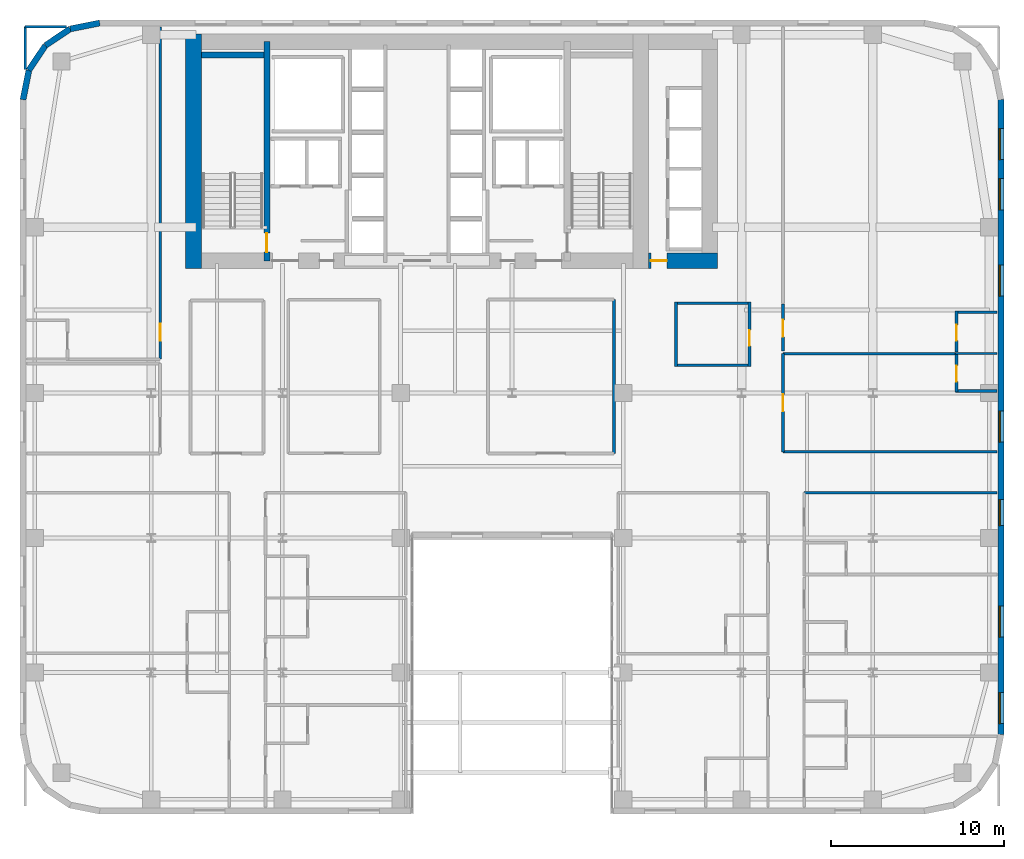
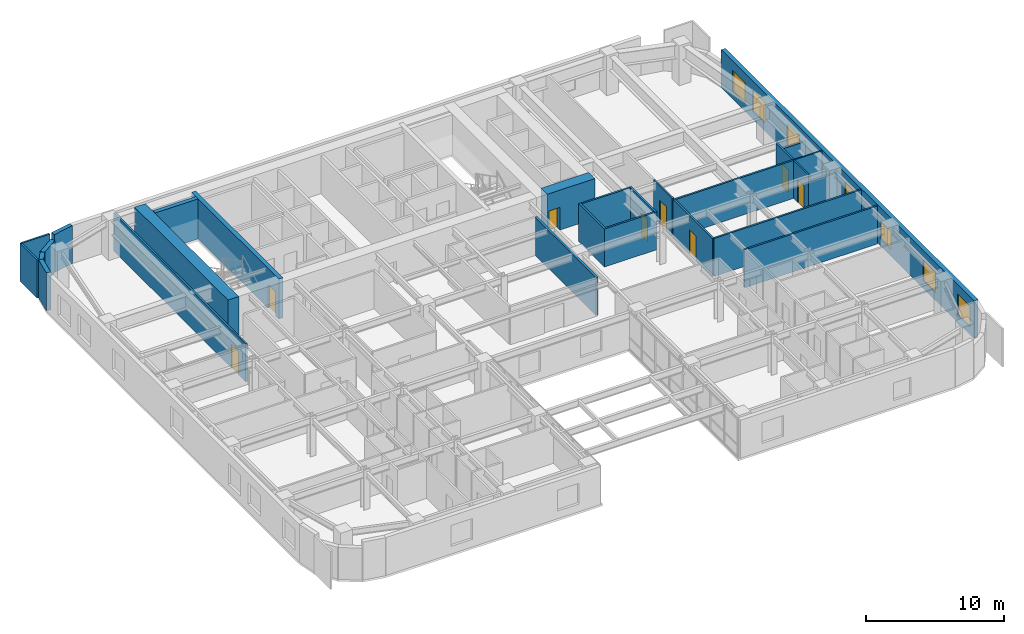
# One storey, part 13 of 16: 27 walls, 8 doors, 7 windows, 15 openings.
"""IFC4 building model written with IfcOpenShell, lengths in metres."""

from ifc_helpers import new_model, si_unit, direction, frame, frame_2d, origin, place, context, subcontext, project, spatial, rectangle, extrude, source, transform, mapped, material, layer, layer_set, type_object, type_shapes, element, fill, save


model = new_model("IFC4")

# Units and contexts
model_context = context("Model", 3, precision=1e-05, world=origin(), true_north=direction((0.0, 1.0)))
body_context = subcontext(model_context, "Body", "Model", "MODEL_VIEW")
ifc_project = project(units=[si_unit("LENGTHUNIT", "METRE"), si_unit("AREAUNIT", "SQUARE_METRE"), si_unit("VOLUMEUNIT", "CUBIC_METRE"), si_unit("PLANEANGLEUNIT", "RADIAN"), si_unit("MASSUNIT", "GRAM", prefix="KILO")], contexts=[model_context])

# Site, building, storey
site_placement = place(None, origin())
site = spatial("IfcSite", under=ifc_project, at=site_placement, CompositionType="ELEMENT")
building_placement = place(site_placement, origin())
building = spatial("IfcBuilding", under=site, at=building_placement, Name="Tolvann Quenvar Hotel", CompositionType="ELEMENT")
storey_placement = place(building_placement, frame((0.0, 0.0, 71.050048828125)))
storey = spatial("IfcBuildingStorey", under=building, at=storey_placement, Name="L17", CompositionType="ELEMENT", Elevation=71.050048828125)

# Wall
ifc_material_1 = material(Name="Concrete S80 (80 MPa)", Category="concrete")
ifc_layer_1 = layer(ifc_material_1, 0.89990234375)
ifc_layer_set_1 = layer_set([ifc_layer_1], Name="Concrete S80 (80 MPa)")
wall_type_1 = type_object("IfcWallType", Name="WALL_CORE_900", PredefinedType="SHEAR", material=ifc_layer_set_1)
wall_1_placement = place(storey_placement, frame((10.050048828125, 31.60009765625, 0.0), z_axis=(0.0, 0.0, 1.0), x_axis=(0.0, 1.0, 0.0)))
element("IfcWall", 1, at=wall_1_placement, inside=storey, type_object=wall_type_1, Name="Rear Core W Shear Wall (L17)", PredefinedType="SHEAR", context=body_context, shape_type="SweptSolid", body=[
    extrude(rectangle(XDim=13.599853515625, YDim=0.89990234375, at=frame_2d((6.7998046875, 0.0))), origin(), (0.0, 0.0, 1.0), 3.550048828125),
])

# Wall, opening, door
wall_2_placement = place(storey_placement, frame((36.39990234375, 32.050048828125, 0.0), z_axis=(0.0, 0.0, 1.0), x_axis=(1.0, 0.0, 0.0)))
wall_2 = element("IfcWall", 2, at=wall_2_placement, inside=storey, type_object=wall_type_1, Name="Core East Annex Shear Wall ANN-S (L17)", PredefinedType="SHEAR", context=body_context, shape_type="SweptSolid", body=[
    extrude(rectangle(XDim=4.0, YDim=0.89990234375, at=frame_2d((2.0, 0.0))), origin(), (0.0, 0.0, 1.0), 3.550048828125),
])
opening_1_placement = place(wall_2_placement, frame((1.06982421875, 0.0, 0.0), z_axis=(0.0, 0.0, 1.0), x_axis=(-1.0, 0.0, 0.0)))
opening_1 = element("IfcOpeningElement", 3, at=opening_1_placement, cuts=wall_2, Name="Opening WD-01", PredefinedType="OPENING", context=body_context, shape_type="SweptSolid", body=[
    extrude(rectangle(XDim=0.919921875, YDim=2.010009765625, at=frame_2d((0.4599609375, 1.0048828125))), frame((0.0, 0.4599609375, 0.0), z_axis=(0.0, -1.0, 0.0), x_axis=(1.0, 0.0, 0.0)), (0.0, 0.0, 1.0), 0.919921875),
])
ifc_material_2 = material(Name="Solid-core American oak acoustic fire door leaf in steel frame", Category="steel")
door_type_1 = type_object("IfcDoorType", Name="DOOR_WC_920", OperationType="NOTDEFINED", PredefinedType="DOOR", material=ifc_material_2)
shared_shape_1 = source(origin(), body_context, "Body", "SweptSolid", [
    extrude(rectangle(XDim=0.919921875, YDim=2.010009765625, at=frame_2d((0.4599609375, 1.0048828125))), frame((0.0, 0.02490234375, 0.0), z_axis=(0.0, -1.0, 0.0), x_axis=(1.0, 0.0, 0.0)), (0.0, 0.0, 1.0), 0.050048828125),
])
type_shapes(door_type_1, [shared_shape_1])
door_1_placement = place(opening_1_placement, origin())
door_1 = element("IfcDoor", 4, at=door_1_placement, inside=storey, type_object=door_type_1, Name="Low-Rise Lift Lobby Fire Door (L17)", OperationType="SINGLE_SWING_RIGHT", OverallHeight=2.010009765625, OverallWidth=0.919921875, PredefinedType="DOOR", context=body_context, shape_type="MappedRepresentation", body=[
    mapped(shared_shape_1, transform((0.0, 0.0, 0.0), x_axis=(1.0, 0.0, 0.0), y_axis=(0.0, 1.0, 0.0), z_axis=(0.0, 0.0, 1.0), scale=1.0)),
])
fill(opening_1, door_1)

ifc_material_3 = material(Name="Concrete S65 (65 MPa)", Category="concrete")
ifc_layer_2 = layer(ifc_material_3, 0.35009765625)
ifc_layer_set_2 = layer_set([ifc_layer_2], Name="Concrete S65 (65 MPa)")
wall_type_2 = type_object("IfcWallType", Name="WALL_CORE_INT_350", PredefinedType="SHEAR", material=ifc_layer_set_2)
wall_3_placement = place(storey_placement, frame((14.300048828125, 32.050048828125, 0.0), z_axis=(0.0, 0.0, 1.0), x_axis=(0.0, 1.0, 0.0)))
wall_3 = element("IfcWall", 5, at=wall_3_placement, inside=storey, type_object=wall_type_2, Name="Core Internal Web Shear Wall WEB-W (L17)", PredefinedType="SHEAR", context=body_context, shape_type="SweptSolid", body=[
    extrude(rectangle(XDim=12.699951171875, YDim=0.35009765625, at=frame_2d((6.35009765625, 0.0))), origin(), (0.0, 0.0, 1.0), 3.550048828125),
])
opening_2_placement = place(wall_3_placement, frame((0.5, 0.0, 0.0)))
opening_2 = element("IfcOpeningElement", 6, at=opening_2_placement, cuts=wall_3, Name="Opening FD-120", PredefinedType="OPENING", context=body_context, shape_type="SweptSolid", body=[
    extrude(rectangle(XDim=1.10009765625, YDim=2.1201171875, at=frame_2d((0.550048828125, 1.06005859375))), frame((0.0, 0.18505859375, 0.0), z_axis=(0.0, -1.0, 0.0), x_axis=(1.0, 0.0, 0.0)), (0.0, 0.0, 1.0), 0.3701171875),
])
ifc_material_4 = material(Name="Pressed galvanised steel fire-rated door set", Category="steel")
door_type_2 = type_object("IfcDoorType", Name="DOOR_FIRE_STAIR_1100", OperationType="NOTDEFINED", PredefinedType="DOOR", material=ifc_material_4)
shared_shape_2 = source(origin(), body_context, "Body", "SweptSolid", [
    extrude(rectangle(XDim=1.10009765625, YDim=2.1201171875, at=frame_2d((0.550048828125, 1.06005859375))), frame((0.0, 0.02490234375, 0.0), z_axis=(0.0, -1.0, 0.0), x_axis=(1.0, 0.0, 0.0)), (0.0, 0.0, 1.0), 0.050048828125),
])
type_shapes(door_type_2, [shared_shape_2])
door_2_placement = place(opening_2_placement, origin())
door_2 = element("IfcDoor", 7, at=door_2_placement, inside=storey, type_object=door_type_2, Name="Exit Stair ST-C1 Fire Door (L17)", OperationType="SINGLE_SWING_LEFT", OverallHeight=2.1201171875, OverallWidth=1.10009765625, PredefinedType="DOOR", context=body_context, shape_type="MappedRepresentation", body=[
    mapped(shared_shape_2, transform((0.0, 0.0, 0.0), x_axis=(1.0, 0.0, 0.0), y_axis=(0.0, 1.0, 0.0), z_axis=(0.0, 0.0, 1.0), scale=1.0)),
])
fill(opening_2, door_2)

# Wall
wall_4_placement = place(storey_placement, frame((10.52001953125, 43.97509765625, 0.0), z_axis=(0.0, 0.0, 1.0), x_axis=(1.0, 0.0, 0.0)))
element("IfcWall", 8, at=wall_4_placement, inside=storey, type_object=wall_type_2, Name="Core Stair North Closing Shear Wall STC1-N (L17)", PredefinedType="SHEAR", context=body_context, shape_type="SweptSolid", body=[
    extrude(rectangle(XDim=3.60009765625, YDim=0.35009765625, at=frame_2d((1.800048828125, 0.0))), origin(), (0.0, 0.0, 1.0), 3.550048828125),
])

# Wall, openings, windows
ifc_material_5 = material(Name="Kiln-fired red and buff architectural clay brickwork and terracotta masonry", Category="masonry")
ifc_layer_3 = layer(ifc_material_5, 0.35009765625)
ifc_layer_set_3 = layer_set([ifc_layer_3], Name="Kiln-fired red and buff architectural clay brickwork and terracotta masonry")
wall_type_3 = type_object("IfcWallType", Name="WALL_EXT_BRICK_350", PredefinedType="SOLIDWALL", material=ifc_layer_set_3)
wall_5_placement = place(storey_placement, frame((56.824951171875, 4.6171875, 0.0), z_axis=(0.0, 0.0, 1.0), x_axis=(0.0, 1.0, 0.0)))
wall_5 = element("IfcWall", 9, at=wall_5_placement, inside=storey, type_object=wall_type_3, Name="Exterior Chicago Brick Wall L17-E13", PredefinedType="SOLIDWALL", context=body_context, shape_type="SweptSolid", body=[
    extrude(rectangle(XDim=36.765625, YDim=0.35009765625, at=frame_2d((18.3828125, 0.0))), origin(), (0.0, 0.0, 1.0), 3.369873046875),
])
opening_3_placement = place(wall_5_placement, frame((0.6259765625, 0.0, 0.679931640625)))
opening_3 = element("IfcOpeningElement", 10, at=opening_3_placement, cuts=wall_5, Name="Opening W-03", PredefinedType="OPENING", context=body_context, shape_type="SweptSolid", body=[
    extrude(rectangle(XDim=1.800048828125, YDim=1.85009765625, at=frame_2d((0.89990234375, 0.925048828125))), frame((0.0, 0.18505859375, 0.0), z_axis=(0.0, -1.0, 0.0), x_axis=(1.0, 0.0, 0.0)), (0.0, 0.0, 1.0), 0.3701171875),
])
opening_4_placement = place(wall_5_placement, frame((5.6279296875, 0.0, 0.679931640625)))
opening_4 = element("IfcOpeningElement", 11, at=opening_4_placement, cuts=wall_5, Name="Opening W-03", PredefinedType="OPENING", context=body_context, shape_type="SweptSolid", body=[
    extrude(rectangle(XDim=1.800048828125, YDim=1.85009765625, at=frame_2d((0.89990234375, 0.925048828125))), frame((0.0, 0.18505859375, 0.0), z_axis=(0.0, -1.0, 0.0), x_axis=(1.0, 0.0, 0.0)), (0.0, 0.0, 1.0), 0.3701171875),
])
opening_5_placement = place(wall_5_placement, frame((16.93310546875, 0.0, 0.679931640625)))
opening_5 = element("IfcOpeningElement", 12, at=opening_5_placement, cuts=wall_5, Name="Opening W-03", PredefinedType="OPENING", context=body_context, shape_type="SweptSolid", body=[
    extrude(rectangle(XDim=1.800048828125, YDim=1.85009765625, at=frame_2d((0.89990234375, 0.925048828125))), frame((0.0, 0.18505859375, 0.0), z_axis=(0.0, -1.0, 0.0), x_axis=(1.0, 0.0, 0.0)), (0.0, 0.0, 1.0), 0.3701171875),
])
opening_6_placement = place(wall_5_placement, frame((25.385986328125, 0.0, 0.679931640625)))
opening_6 = element("IfcOpeningElement", 13, at=opening_6_placement, cuts=wall_5, Name="Opening W-03", PredefinedType="OPENING", context=body_context, shape_type="SweptSolid", body=[
    extrude(rectangle(XDim=1.800048828125, YDim=1.85009765625, at=frame_2d((0.89990234375, 0.925048828125))), frame((0.0, 0.18505859375, 0.0), z_axis=(0.0, -1.0, 0.0), x_axis=(1.0, 0.0, 0.0)), (0.0, 0.0, 1.0), 0.3701171875),
])
opening_7_placement = place(wall_5_placement, frame((30.387939453125, 0.0, 0.679931640625)))
opening_7 = element("IfcOpeningElement", 14, at=opening_7_placement, cuts=wall_5, Name="Opening W-03", PredefinedType="OPENING", context=body_context, shape_type="SweptSolid", body=[
    extrude(rectangle(XDim=1.800048828125, YDim=1.85009765625, at=frame_2d((0.89990234375, 0.925048828125))), frame((0.0, 0.18505859375, 0.0), z_axis=(0.0, -1.0, 0.0), x_axis=(1.0, 0.0, 0.0)), (0.0, 0.0, 1.0), 0.3701171875),
])
opening_8_placement = place(wall_5_placement, frame((33.2900390625, 0.0, 0.679931640625)))
opening_8 = element("IfcOpeningElement", 15, at=opening_8_placement, cuts=wall_5, Name="Opening W-03", PredefinedType="OPENING", context=body_context, shape_type="SweptSolid", body=[
    extrude(rectangle(XDim=1.800048828125, YDim=1.85009765625, at=frame_2d((0.89990234375, 0.925048828125))), frame((0.0, 0.18505859375, 0.0), z_axis=(0.0, -1.0, 0.0), x_axis=(1.0, 0.0, 0.0)), (0.0, 0.0, 1.0), 0.3701171875),
])
opening_9_placement = place(wall_5_placement, frame((12.093017578125, 0.0, 0.6201171875)))
opening_9 = element("IfcOpeningElement", 16, at=opening_9_placement, cuts=wall_5, Name="Opening W-08", PredefinedType="OPENING", context=body_context, shape_type="SweptSolid", body=[
    extrude(rectangle(XDim=1.5, YDim=1.550048828125, at=frame_2d((0.75, 0.77490234375))), frame((0.0, 0.18505859375, 0.0), z_axis=(0.0, -1.0, 0.0), x_axis=(1.0, 0.0, 0.0)), (0.0, 0.0, 1.0), 0.3701171875),
])
ifc_material_6 = material(Name="Thermally broken bronze-anodised aluminium frame with double low-E glazing", Category="aluminium")
window_type_1 = type_object("IfcWindowType", Name="WIN_COR_1500x2050", PartitioningType="SINGLE_PANEL", PredefinedType="WINDOW", material=ifc_material_6)
shared_shape_3 = source(origin(), body_context, "Body", "SweptSolid", [
    extrude(rectangle(XDim=1.5, YDim=1.550048828125, at=frame_2d((0.75, 0.77490234375))), frame((0.0, 0.090087890625, 0.0), z_axis=(0.0, -1.0, 0.0), x_axis=(1.0, 0.0, 0.0)), (0.0, 0.0, 1.0), 0.06005859375),
])
type_shapes(window_type_1, [shared_shape_3])
window_1_placement = place(opening_9_placement, origin())
window_1 = element("IfcWindow", 17, at=window_1_placement, inside=storey, type_object=window_type_1, Name="Chicago Window W-08 (EW-L17-E13-WD07)", OverallHeight=1.550048828125, OverallWidth=1.5, PartitioningType="SINGLE_PANEL", PredefinedType="WINDOW", context=body_context, shape_type="MappedRepresentation", body=[
    mapped(shared_shape_3, transform((0.0, 0.0, 0.0), x_axis=(1.0, 0.0, 0.0), y_axis=(0.0, 1.0, 0.0), z_axis=(0.0, 0.0, 1.0), scale=1.0)),
])
fill(opening_9, window_1)
window_type_2 = type_object("IfcWindowType", Name="WIN_CHI_1800x2050", PartitioningType="TRIPLE_PANEL_HORIZONTAL", PredefinedType="WINDOW", material=ifc_material_6)
shared_shape_4 = source(origin(), body_context, "Body", "SweptSolid", [
    extrude(rectangle(XDim=1.800048828125, YDim=1.85009765625, at=frame_2d((0.89990234375, 0.925048828125))), frame((0.0, 0.090087890625, 0.0), z_axis=(0.0, -1.0, 0.0), x_axis=(1.0, 0.0, 0.0)), (0.0, 0.0, 1.0), 0.06005859375),
])
type_shapes(window_type_2, [shared_shape_4])
window_2_placement = place(opening_3_placement, origin())
window_2 = element("IfcWindow", 18, at=window_2_placement, inside=storey, type_object=window_type_2, Name="Chicago Window W-03 (EW-L17-E13-W01)", OverallHeight=1.85009765625, OverallWidth=1.800048828125, PartitioningType="TRIPLE_PANEL_HORIZONTAL", PredefinedType="WINDOW", context=body_context, shape_type="MappedRepresentation", body=[
    mapped(shared_shape_4, transform((0.0, 0.0, 0.0), x_axis=(1.0, 0.0, 0.0), y_axis=(0.0, 1.0, 0.0), z_axis=(0.0, 0.0, 1.0), scale=1.0)),
])
fill(opening_3, window_2)
window_3_placement = place(opening_4_placement, origin())
window_3 = element("IfcWindow", 19, at=window_3_placement, inside=storey, type_object=window_type_2, Name="Chicago Window W-03 (EW-L17-E13-W02)", OverallHeight=1.85009765625, OverallWidth=1.800048828125, PartitioningType="TRIPLE_PANEL_HORIZONTAL", PredefinedType="WINDOW", context=body_context, shape_type="MappedRepresentation", body=[
    mapped(shared_shape_4, transform((0.0, 0.0, 0.0), x_axis=(1.0, 0.0, 0.0), y_axis=(0.0, 1.0, 0.0), z_axis=(0.0, 0.0, 1.0), scale=1.0)),
])
fill(opening_4, window_3)
window_4_placement = place(opening_5_placement, origin())
window_4 = element("IfcWindow", 20, at=window_4_placement, inside=storey, type_object=window_type_2, Name="Chicago Window W-03 (EW-L17-E13-W03)", OverallHeight=1.85009765625, OverallWidth=1.800048828125, PartitioningType="TRIPLE_PANEL_HORIZONTAL", PredefinedType="WINDOW", context=body_context, shape_type="MappedRepresentation", body=[
    mapped(shared_shape_4, transform((0.0, 0.0, 0.0), x_axis=(1.0, 0.0, 0.0), y_axis=(0.0, 1.0, 0.0), z_axis=(0.0, 0.0, 1.0), scale=1.0)),
])
fill(opening_5, window_4)
window_5_placement = place(opening_6_placement, origin())
window_5 = element("IfcWindow", 21, at=window_5_placement, inside=storey, type_object=window_type_2, Name="Chicago Window W-03 (EW-L17-E13-W04)", OverallHeight=1.85009765625, OverallWidth=1.800048828125, PartitioningType="TRIPLE_PANEL_HORIZONTAL", PredefinedType="WINDOW", context=body_context, shape_type="MappedRepresentation", body=[
    mapped(shared_shape_4, transform((0.0, 0.0, 0.0), x_axis=(1.0, 0.0, 0.0), y_axis=(0.0, 1.0, 0.0), z_axis=(0.0, 0.0, 1.0), scale=1.0)),
])
fill(opening_6, window_5)
window_6_placement = place(opening_7_placement, origin())
window_6 = element("IfcWindow", 22, at=window_6_placement, inside=storey, type_object=window_type_2, Name="Chicago Window W-03 (EW-L17-E13-W05)", OverallHeight=1.85009765625, OverallWidth=1.800048828125, PartitioningType="TRIPLE_PANEL_HORIZONTAL", PredefinedType="WINDOW", context=body_context, shape_type="MappedRepresentation", body=[
    mapped(shared_shape_4, transform((0.0, 0.0, 0.0), x_axis=(1.0, 0.0, 0.0), y_axis=(0.0, 1.0, 0.0), z_axis=(0.0, 0.0, 1.0), scale=1.0)),
])
fill(opening_7, window_6)
window_7_placement = place(opening_8_placement, origin())
window_7 = element("IfcWindow", 23, at=window_7_placement, inside=storey, type_object=window_type_2, Name="Chicago Window W-03 (EW-L17-E13-W06)", OverallHeight=1.85009765625, OverallWidth=1.800048828125, PartitioningType="TRIPLE_PANEL_HORIZONTAL", PredefinedType="WINDOW", context=body_context, shape_type="MappedRepresentation", body=[
    mapped(shared_shape_4, transform((0.0, 0.0, 0.0), x_axis=(1.0, 0.0, 0.0), y_axis=(0.0, 1.0, 0.0), z_axis=(0.0, 0.0, 1.0), scale=1.0)),
])
fill(opening_8, window_7)

# Walls
wall_6_placement = place(storey_placement, frame((4.6171875, 45.824951171875, 0.0), z_axis=(0.0, 0.0, 1.0), x_axis=(-0.980800971659, -0.195011420161, 0.0)))
element("IfcWall", 24, at=wall_6_placement, inside=storey, type_object=wall_type_3, Name="Exterior Chicago Brick Wall L17-E19", PredefinedType="SOLIDWALL", context=body_context, shape_type="SweptSolid", body=[
    extrude(rectangle(XDim=1.74267578125, YDim=0.35009765625, at=frame_2d((0.871337890625, 0.0))), origin(), (0.0, 0.0, 1.0), 3.369873046875),
])
for number, where, z_axis, x_axis, name in (
    (25, (2.907958984375, 45.485107421875, 0.0), (0.0, 0.0, 1.0), (-0.831483840845, -0.55554893791, 0.0), "Exterior Chicago Brick Wall L17-E20"),
    (26, (1.473388671875, 44.526611328125, 0.0), (0.0, 0.0, 1.0), (-0.55554893791, -0.831483840845, 0.0), "Exterior Chicago Brick Wall L17-E21"),
):
    element("IfcWall", number, at=place(storey_placement, frame(where, z_axis=z_axis, x_axis=x_axis)), inside=storey, type_object=wall_type_3, Name=name, PredefinedType="SOLIDWALL", context=body_context, shape_type="SweptSolid", body=[
        extrude(rectangle(XDim=1.725341796875, YDim=0.35009765625, at=frame_2d((0.86279296875, 0.0))), origin(), (0.0, 0.0, 1.0), 2.83203125),
    ])
wall_7_placement = place(storey_placement, frame((0.514892578125, 43.092041015625, 0.0), z_axis=(0.0, 0.0, 1.0), x_axis=(-0.195011420161, -0.980800971659, 0.0)))
element("IfcWall", 27, at=wall_7_placement, inside=storey, type_object=wall_type_3, Name="Exterior Chicago Brick Wall L17-E22", PredefinedType="SOLIDWALL", context=body_context, shape_type="SweptSolid", body=[
    extrude(rectangle(XDim=1.74267578125, YDim=0.35009765625, at=frame_2d((0.871337890625, 0.0))), origin(), (0.0, 0.0, 1.0), 3.369873046875),
])
ifc_material_7 = material(Name="Acoustic twin-stud fire-rated gypsum plasterboard partition")
ifc_layer_4 = layer(ifc_material_7, 0.179931640625)
ifc_layer_set_4 = layer_set([ifc_layer_4], Name="Acoustic twin-stud fire-rated gypsum plasterboard partition")
wall_type_4 = type_object("IfcWallType", Name="WALL_PART_ACOUSTIC_180", PredefinedType="PARTITIONING", material=ifc_layer_set_4)
wall_8_placement = place(storey_placement, frame((34.39990234375, 20.89990234375, 0.0), z_axis=(0.0, 0.0, 1.0), x_axis=(0.0, 1.0, 0.0)))
element("IfcWall", 28, at=wall_8_placement, inside=storey, type_object=wall_type_4, Name="Interior Partition PT-SPC-L17-MSP-C-E", PredefinedType="PARTITIONING", context=body_context, shape_type="SweptSolid", body=[
    extrude(rectangle(XDim=8.900146484375, YDim=0.179931640625, at=frame_2d((4.4501953125, 0.0))), origin(), (0.0, 0.0, 1.0), 3.369873046875),
])
ifc_material_8 = material(Name="Moisture-resistant acoustic plumbing wall assembly")
ifc_layer_5 = layer(ifc_material_8, 0.1201171875)
ifc_layer_set_5 = layer_set([ifc_layer_5], Name="Moisture-resistant acoustic plumbing wall assembly")
wall_type_5 = type_object("IfcWallType", Name="WALL_PART_BATH_120", PredefinedType="PLUMBINGWALL", material=ifc_layer_set_5)
wall_9_placement = place(storey_placement, frame((54.179931640625, 26.669921875, 0.0), z_axis=(0.0, 0.0, 1.0), x_axis=(1.0, 0.0, 0.0)))
element("IfcWall", 29, at=wall_9_placement, inside=storey, type_object=wall_type_5, Name="Non-Rated Plumbing Partition PT-SPC-L17-ENS-NE01-N", PredefinedType="PLUMBINGWALL", context=body_context, shape_type="SweptSolid", body=[
    extrude(rectangle(XDim=2.4150390625, YDim=0.1201171875, at=frame_2d((1.20751953125, 0.0))), origin(), (0.0, 0.0, 1.0), 3.369873046875),
])

# Wall, opening, door
ifc_layer_6 = layer(ifc_material_7, 0.14990234375)
ifc_layer_set_6 = layer_set([ifc_layer_6], Name="Acoustic twin-stud fire-rated gypsum plasterboard partition")
wall_type_6 = type_object("IfcWallType", Name="WALL_PART_SUITE_150", PredefinedType="PARTITIONING", material=ifc_layer_set_6)
wall_10_placement = place(storey_placement, frame((54.25, 24.43798828125, 0.0), z_axis=(0.0, 0.0, 1.0), x_axis=(0.0, 1.0, 0.0)))
wall_10 = element("IfcWall", 30, at=wall_10_placement, inside=storey, type_object=wall_type_6, Name="Interior Partition PT-SPC-L17-ENS-NE01-ENT", PredefinedType="PARTITIONING", context=body_context, shape_type="SweptSolid", body=[
    extrude(rectangle(XDim=2.302001953125, YDim=0.14990234375, at=frame_2d((1.15087890625, 0.0))), origin(), (0.0, 0.0, 1.0), 3.369873046875),
])
opening_10_placement = place(wall_10_placement, frame((0.62109375, 0.0, 0.0)))
opening_10 = element("IfcOpeningElement", 31, at=opening_10_placement, cuts=wall_10, Name="Opening WD-01", PredefinedType="OPENING", context=body_context, shape_type="SweptSolid", body=[
    extrude(rectangle(XDim=0.919921875, YDim=2.010009765625, at=frame_2d((0.4599609375, 1.0048828125))), frame((0.0, 0.0849609375, 0.0), z_axis=(0.0, -1.0, 0.0), x_axis=(1.0, 0.0, 0.0)), (0.0, 0.0, 1.0), 0.169921875),
])
door_3_placement = place(opening_10_placement, origin())
door_3 = element("IfcDoor", 32, at=door_3_placement, inside=storey, type_object=door_type_1, Name="Interior Door DOOR-SPC-L17-ENS-NE01", OperationType="SINGLE_SWING_RIGHT", OverallHeight=2.010009765625, OverallWidth=0.919921875, PredefinedType="DOOR", context=body_context, shape_type="MappedRepresentation", body=[
    mapped(shared_shape_1, transform((0.0, 0.0, 0.0), x_axis=(1.0, 0.0, 0.0), y_axis=(0.0, 1.0, 0.0), z_axis=(0.0, 0.0, 1.0), scale=1.0)),
])
fill(opening_10, door_3)

# Wall
wall_11_placement = place(storey_placement, frame((54.179931640625, 24.508056640625, 0.0), z_axis=(0.0, 0.0, 1.0), x_axis=(1.0, 0.0, 0.0)))
element("IfcWall", 33, at=wall_11_placement, inside=storey, type_object=wall_type_6, Name="Interior Partition PT-SPC-L17-ENS-NE01-S", PredefinedType="PARTITIONING", context=body_context, shape_type="SweptSolid", body=[
    extrude(rectangle(XDim=2.4150390625, YDim=0.14990234375, at=frame_2d((1.20751953125, 0.0))), origin(), (0.0, 0.0, 1.0), 2.748046875),
])

# Wall, opening, door
wall_12_placement = place(storey_placement, frame((54.25, 26.760009765625, 0.0), z_axis=(0.0, 0.0, 1.0), x_axis=(0.0, 1.0, 0.0)))
wall_12 = element("IfcWall", 34, at=wall_12_placement, inside=storey, type_object=wall_type_6, Name="Interior Partition PT-SPC-L17-ENS-NE02-ENT", PredefinedType="PARTITIONING", context=body_context, shape_type="SweptSolid", body=[
    extrude(rectangle(XDim=2.389892578125, YDim=0.14990234375, at=frame_2d((1.19482421875, 0.0))), origin(), (0.0, 0.0, 1.0), 3.369873046875),
])
opening_11_placement = place(wall_12_placement, frame((0.6650390625, 0.0, 0.0)))
opening_11 = element("IfcOpeningElement", 35, at=opening_11_placement, cuts=wall_12, Name="Opening WD-01", PredefinedType="OPENING", context=body_context, shape_type="SweptSolid", body=[
    extrude(rectangle(XDim=0.919921875, YDim=2.010009765625, at=frame_2d((0.4599609375, 1.0048828125))), frame((0.0, 0.0849609375, 0.0), z_axis=(0.0, -1.0, 0.0), x_axis=(1.0, 0.0, 0.0)), (0.0, 0.0, 1.0), 0.169921875),
])
door_4_placement = place(opening_11_placement, origin())
door_4 = element("IfcDoor", 36, at=door_4_placement, inside=storey, type_object=door_type_1, Name="Interior Door DOOR-SPC-L17-ENS-NE02", OperationType="SINGLE_SWING_LEFT", OverallHeight=2.010009765625, OverallWidth=0.919921875, PredefinedType="DOOR", context=body_context, shape_type="MappedRepresentation", body=[
    mapped(shared_shape_1, transform((0.0, 0.0, 0.0), x_axis=(1.0, 0.0, 0.0), y_axis=(0.0, 1.0, 0.0), z_axis=(0.0, 0.0, 1.0), scale=1.0)),
])
fill(opening_11, door_4)

# Walls
wall_13_placement = place(storey_placement, frame((54.179931640625, 29.080078125, 0.0), z_axis=(0.0, 0.0, 1.0), x_axis=(1.0, 0.0, 0.0)))
element("IfcWall", 37, at=wall_13_placement, inside=storey, type_object=wall_type_6, Name="Interior Partition PT-SPC-L17-ENS-NE02-N", PredefinedType="PARTITIONING", context=body_context, shape_type="SweptSolid", body=[
    extrude(rectangle(XDim=2.4150390625, YDim=0.14990234375, at=frame_2d((1.20751953125, 0.0))), origin(), (0.0, 0.0, 1.0), 2.748046875),
])
wall_14_placement = place(storey_placement, frame((45.419921875, 18.6201171875, 0.0), z_axis=(0.0, 0.0, 1.0), x_axis=(1.0, 0.0, 0.0)))
element("IfcWall", 38, at=wall_14_placement, inside=storey, type_object=wall_type_6, Name="Interior Partition PT-SPC-L17-RM-EO04-E5", PredefinedType="PARTITIONING", context=body_context, shape_type="SweptSolid", body=[
    extrude(rectangle(XDim=11.175048828125, YDim=0.14990234375, at=frame_2d((5.58740234375, 0.0))), origin(), (0.0, 0.0, 1.0), 3.369873046875),
])

# Wall, opening, door
wall_15_placement = place(storey_placement, frame((8.1201171875, 26.360107421875, 0.0), z_axis=(0.0, 0.0, 1.0), x_axis=(0.0, 1.0, 0.0)))
wall_15 = element("IfcWall", 39, at=wall_15_placement, inside=storey, type_object=wall_type_6, Name="Interior Partition PT-SPC-L17-RM-NW01-ENT", PredefinedType="PARTITIONING", context=body_context, shape_type="SweptSolid", body=[
    extrude(rectangle(XDim=19.23486328125, YDim=0.14990234375, at=frame_2d((9.617431640625, 0.0))), origin(), (0.0, 0.0, 1.0), 3.369873046875),
])
opening_12_placement = place(wall_15_placement, frame((1.054931640625, 0.0, 0.0)))
opening_12 = element("IfcOpeningElement", 40, at=opening_12_placement, cuts=wall_15, Name="Opening SD-01", PredefinedType="OPENING", context=body_context, shape_type="SweptSolid", body=[
    extrude(rectangle(XDim=0.97998046875, YDim=2.1201171875, at=frame_2d((0.489990234375, 1.06005859375))), frame((0.0, 0.0849609375, 0.0), z_axis=(0.0, -1.0, 0.0), x_axis=(1.0, 0.0, 0.0)), (0.0, 0.0, 1.0), 0.169921875),
])
door_type_3 = type_object("IfcDoorType", Name="DOOR_SUITE_980", OperationType="NOTDEFINED", PredefinedType="DOOR", material=ifc_material_2)
shared_shape_5 = source(origin(), body_context, "Body", "SweptSolid", [
    extrude(rectangle(XDim=0.97998046875, YDim=2.1201171875, at=frame_2d((0.489990234375, 1.06005859375))), frame((0.0, 0.02490234375, 0.0), z_axis=(0.0, -1.0, 0.0), x_axis=(1.0, 0.0, 0.0)), (0.0, 0.0, 1.0), 0.050048828125),
])
type_shapes(door_type_3, [shared_shape_5])
door_5_placement = place(opening_12_placement, origin())
door_5 = element("IfcDoor", 41, at=door_5_placement, inside=storey, type_object=door_type_3, Name="Interior Door DOOR-SPC-L17-RM-NW01", OperationType="SINGLE_SWING_LEFT", OverallHeight=2.1201171875, OverallWidth=0.97998046875, PredefinedType="DOOR", context=body_context, shape_type="MappedRepresentation", body=[
    mapped(shared_shape_5, transform((0.0, 0.0, 0.0), x_axis=(1.0, 0.0, 0.0), y_axis=(0.0, 1.0, 0.0), z_axis=(0.0, 0.0, 1.0), scale=1.0)),
])
fill(opening_12, door_5)

# Walls
wall_16_placement = place(storey_placement, frame((0.300048828125, 45.6201171875, 0.0), z_axis=(0.0, 0.0, 1.0), x_axis=(1.0, 0.0, 0.0)))
element("IfcWall", 42, at=wall_16_placement, inside=storey, type_object=wall_type_6, Name="Interior Partition PT-SPC-L17-RM-NW01-E5", PredefinedType="PARTITIONING", context=body_context, shape_type="SweptSolid", body=[
    extrude(rectangle(XDim=2.39599609375, YDim=0.14990234375, at=frame_2d((1.197998046875, 0.0))), origin(), (0.0, 0.0, 1.0), 3.369873046875),
])
wall_17_placement = place(storey_placement, frame((0.300048828125, 43.135009765625, 0.0), z_axis=(0.0, 0.0, 1.0), x_axis=(0.0, 1.0, 0.0)))
element("IfcWall", 43, at=wall_17_placement, inside=storey, type_object=wall_type_6, Name="Interior Partition PT-SPC-L17-RM-NW01-E6", PredefinedType="PARTITIONING", context=body_context, shape_type="SweptSolid", body=[
    extrude(rectangle(XDim=2.485107421875, YDim=0.14990234375, at=frame_2d((1.24267578125, 0.0))), origin(), (0.0, 0.0, 1.0), 3.369873046875),
])

# Wall, opening, door
wall_18_placement = place(storey_placement, frame((44.199951171875, 20.97998046875, 0.0), z_axis=(0.0, 0.0, 1.0), x_axis=(0.0, 1.0, 0.0)))
wall_18 = element("IfcWall", 44, at=wall_18_placement, inside=storey, type_object=wall_type_6, Name="Interior Partition PT-SPC-L17-RM-NE01-ENT", PredefinedType="PARTITIONING", context=body_context, shape_type="SweptSolid", body=[
    extrude(rectangle(XDim=5.68994140625, YDim=0.14990234375, at=frame_2d((2.844970703125, 0.0))), origin(), (0.0, 0.0, 1.0), 3.369873046875),
])
opening_13_placement = place(wall_18_placement, frame((2.35498046875, 0.0, 0.0)))
opening_13 = element("IfcOpeningElement", 45, at=opening_13_placement, cuts=wall_18, Name="Opening SD-01", PredefinedType="OPENING", context=body_context, shape_type="SweptSolid", body=[
    extrude(rectangle(XDim=0.97998046875, YDim=2.1201171875, at=frame_2d((0.489990234375, 1.06005859375))), frame((0.0, 0.0849609375, 0.0), z_axis=(0.0, -1.0, 0.0), x_axis=(1.0, 0.0, 0.0)), (0.0, 0.0, 1.0), 0.169921875),
])
door_6_placement = place(opening_13_placement, origin())
door_6 = element("IfcDoor", 46, at=door_6_placement, inside=storey, type_object=door_type_3, Name="Interior Door DOOR-SPC-L17-RM-NE01", OperationType="SINGLE_SWING_RIGHT", OverallHeight=2.1201171875, OverallWidth=0.97998046875, PredefinedType="DOOR", context=body_context, shape_type="MappedRepresentation", body=[
    mapped(shared_shape_5, transform((0.0, 0.0, 0.0), x_axis=(1.0, 0.0, 0.0), y_axis=(0.0, 1.0, 0.0), z_axis=(0.0, 0.0, 1.0), scale=1.0)),
])
fill(opening_13, door_6)

# Walls
wall_19_placement = place(storey_placement, frame((44.199951171875, 20.97998046875, 0.0), z_axis=(0.0, 0.0, 1.0), x_axis=(1.0, 0.0, 0.0)))
element("IfcWall", 47, at=wall_19_placement, inside=storey, type_object=wall_type_6, Name="Interior Partition PT-SPC-L17-RM-NE01-E1", PredefinedType="PARTITIONING", context=body_context, shape_type="SweptSolid", body=[
    extrude(rectangle(XDim=12.39501953125, YDim=0.14990234375, at=frame_2d((6.197509765625, 0.0))), origin(), (0.0, 0.0, 1.0), 3.369873046875),
])
wall_20_placement = place(storey_placement, frame((44.199951171875, 26.669921875, 0.0), z_axis=(0.0, 0.0, 1.0), x_axis=(1.0, 0.0, 0.0)))
element("IfcWall", 48, at=wall_20_placement, inside=storey, type_object=wall_type_6, Name="Interior Partition PT-SPC-L17-RM-NE01-E5", PredefinedType="PARTITIONING", context=body_context, shape_type="SweptSolid", body=[
    extrude(rectangle(XDim=10.030029296875, YDim=0.14990234375, at=frame_2d((5.01513671875, 0.0))), origin(), (0.0, 0.0, 1.0), 3.369873046875),
])

# Wall, opening, door
wall_21_placement = place(storey_placement, frame((44.199951171875, 26.830078125, 0.0), z_axis=(0.0, 0.0, 1.0), x_axis=(0.0, 1.0, 0.0)))
wall_21 = element("IfcWall", 49, at=wall_21_placement, inside=storey, type_object=wall_type_6, Name="Interior Partition PT-SPC-L17-RM-NE02-ENT", PredefinedType="PARTITIONING", context=body_context, shape_type="SweptSolid", body=[
    extrude(rectangle(XDim=2.72998046875, YDim=0.14990234375, at=frame_2d((1.364990234375, 0.0))), origin(), (0.0, 0.0, 1.0), 3.369873046875),
])
opening_14_placement = place(wall_21_placement, frame((0.820068359375, 0.0, 0.0)))
opening_14 = element("IfcOpeningElement", 50, at=opening_14_placement, cuts=wall_21, Name="Opening SD-01", PredefinedType="OPENING", context=body_context, shape_type="SweptSolid", body=[
    extrude(rectangle(XDim=0.97998046875, YDim=2.1201171875, at=frame_2d((0.489990234375, 1.06005859375))), frame((0.0, 0.0849609375, 0.0), z_axis=(0.0, -1.0, 0.0), x_axis=(1.0, 0.0, 0.0)), (0.0, 0.0, 1.0), 0.169921875),
])
door_7_placement = place(opening_14_placement, origin())
door_7 = element("IfcDoor", 51, at=door_7_placement, inside=storey, type_object=door_type_3, Name="Interior Door DOOR-SPC-L17-RM-NE02", OperationType="SINGLE_SWING_LEFT", OverallHeight=2.1201171875, OverallWidth=0.97998046875, PredefinedType="DOOR", context=body_context, shape_type="MappedRepresentation", body=[
    mapped(shared_shape_5, transform((0.0, 0.0, 0.0), x_axis=(1.0, 0.0, 0.0), y_axis=(0.0, 1.0, 0.0), z_axis=(0.0, 0.0, 1.0), scale=1.0)),
])
fill(opening_14, door_7)

wall_22_placement = place(storey_placement, frame((42.260009765625, 25.929931640625, 0.0), z_axis=(0.0, 0.0, 1.0), x_axis=(0.0, 1.0, 0.0)))
wall_22 = element("IfcWall", 52, at=wall_22_placement, inside=storey, type_object=wall_type_6, Name="Interior Partition PT-SPC-L17-WCA-ENT", PredefinedType="PARTITIONING", context=body_context, shape_type="SweptSolid", body=[
    extrude(rectangle(XDim=3.739990234375, YDim=0.14990234375, at=frame_2d((1.8701171875, 0.0))), origin(), (0.0, 0.0, 1.0), 3.369873046875),
])
opening_15_placement = place(wall_22_placement, frame((1.18994140625, 0.0, 0.0)))
opening_15 = element("IfcOpeningElement", 53, at=opening_15_placement, cuts=wall_22, Name="Opening WD-01", PredefinedType="OPENING", context=body_context, shape_type="SweptSolid", body=[
    extrude(rectangle(XDim=0.919921875, YDim=2.010009765625, at=frame_2d((0.4599609375, 1.0048828125))), frame((0.0, 0.0849609375, 0.0), z_axis=(0.0, -1.0, 0.0), x_axis=(1.0, 0.0, 0.0)), (0.0, 0.0, 1.0), 0.169921875),
])
door_8_placement = place(opening_15_placement, origin())
door_8 = element("IfcDoor", 54, at=door_8_placement, inside=storey, type_object=door_type_1, Name="Interior Door DOOR-SPC-L17-WCA", OperationType="SINGLE_SWING_RIGHT", OverallHeight=2.010009765625, OverallWidth=0.919921875, PredefinedType="DOOR", context=body_context, shape_type="MappedRepresentation", body=[
    mapped(shared_shape_1, transform((0.0, 0.0, 0.0), x_axis=(1.0, 0.0, 0.0), y_axis=(0.0, 1.0, 0.0), z_axis=(0.0, 0.0, 1.0), scale=1.0)),
])
fill(opening_15, door_8)

# Walls
for number, where, z_axis, x_axis, name in (
    (55, (37.929931640625, 26.0, 0.0), (0.0, 0.0, 1.0), (1.0, 0.0, 0.0), "Interior Partition PT-SPC-L17-WCA-S"),
    (56, (37.929931640625, 29.60009765625, 0.0), (0.0, 0.0, 1.0), (1.0, 0.0, 0.0), "Interior Partition PT-SPC-L17-WCA-N"),
):
    element("IfcWall", number, at=place(storey_placement, frame(where, z_axis=z_axis, x_axis=x_axis)), inside=storey, type_object=wall_type_6, Name=name, PredefinedType="PARTITIONING", context=body_context, shape_type="SweptSolid", body=[
        extrude(rectangle(XDim=4.400146484375, YDim=0.14990234375, at=frame_2d((2.2001953125, 0.0))), origin(), (0.0, 0.0, 1.0), 3.369873046875),
    ])
wall_23_placement = place(storey_placement, frame((38.0, 25.929931640625, 0.0), z_axis=(0.0, 0.0, 1.0), x_axis=(0.0, 1.0, 0.0)))
element("IfcWall", 57, at=wall_23_placement, inside=storey, type_object=wall_type_6, Name="Interior Partition PT-SPC-L17-WCA-W", PredefinedType="PARTITIONING", context=body_context, shape_type="SweptSolid", body=[
    extrude(rectangle(XDim=3.739990234375, YDim=0.14990234375, at=frame_2d((1.8701171875, 0.0))), origin(), (0.0, 0.0, 1.0), 3.369873046875),
])

save(model, "model.ifc")
